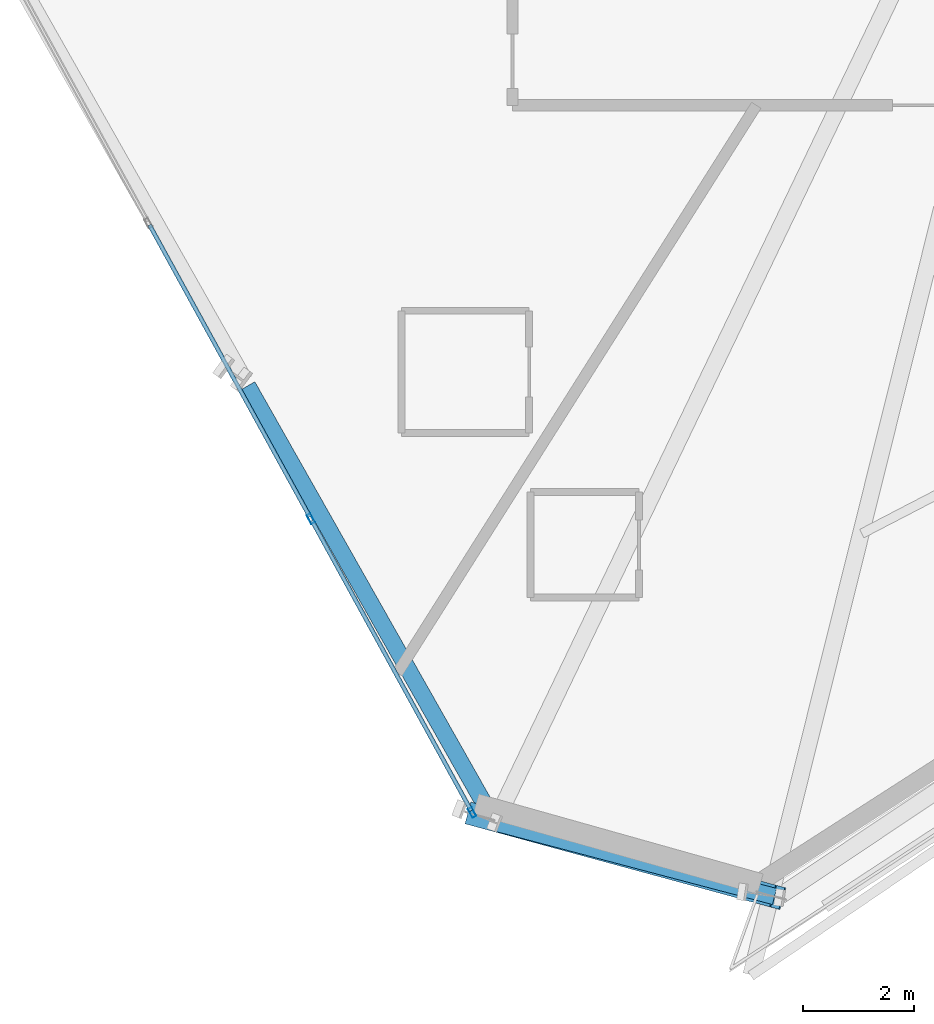
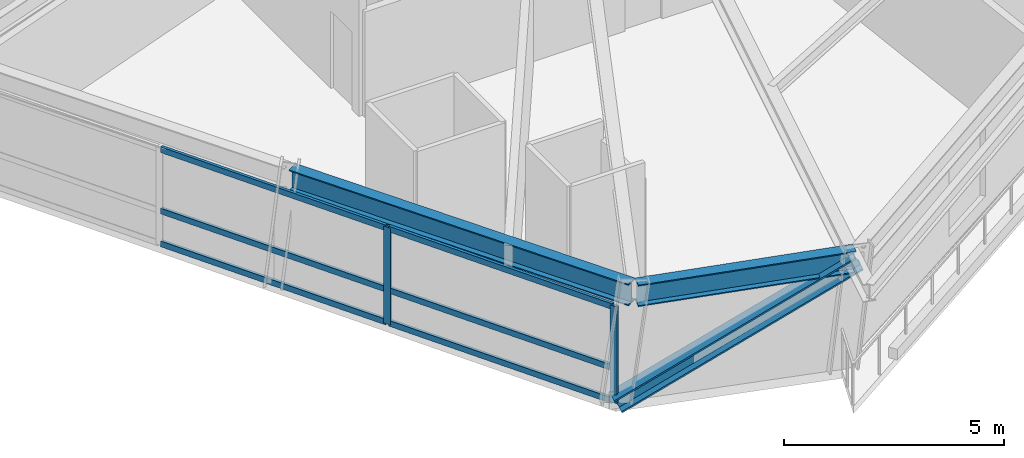
# One storey, part 2 of 21: 9 members, 2 beams, 1 element without a shape of its own.
"""IFC4 building model written with IfcOpenShell, lengths in metres."""

from ifc_helpers import new_model, si_unit, direction, frame, origin, origin_2d, place, context, subcontext, project, spatial, hollow_rectangle, i_section, extrude, source, transform, mapped, material, material_profile, profile_set, type_object, element, aggregate, save


model = new_model("IFC4")

# Units and contexts
model_context = context("Model", 3, precision=1e-05, world=origin(), true_north=direction((0.0, 1.0)))
body_context = subcontext(model_context, "Body", "Model", "MODEL_VIEW")
ifc_project = project(units=[si_unit("LENGTHUNIT", "METRE"), si_unit("AREAUNIT", "SQUARE_METRE"), si_unit("VOLUMEUNIT", "CUBIC_METRE"), si_unit("PLANEANGLEUNIT", "RADIAN"), si_unit("MASSUNIT", "GRAM", prefix="KILO")], contexts=[model_context])

# Site, building, storey
site_placement = place(None, origin())
site = spatial("IfcSite", under=ifc_project, at=site_placement, CompositionType="ELEMENT")
building_placement = place(site_placement, origin())
building = spatial("IfcBuilding", under=site, at=building_placement, Name="Olszyna Solenne Hotel", CompositionType="ELEMENT")
storey_placement = place(building_placement, frame((0.0, 0.0, 109.25)))
storey = spatial("IfcBuildingStorey", under=building, at=storey_placement, Name="L28", CompositionType="ELEMENT", Elevation=109.25)

# Beams
ifc_material_1 = material(Name="Steel S355J2", Category="steel")
ifc_material_profile_1 = material_profile(ifc_material_1, i_section(OverallWidth=0.300048828125, OverallDepth=0.60009765625, WebThickness=0.015380859375, FlangeThickness=0.030029296875, at=origin_2d()), Name="HEB 600", Category="load-bearing")
ifc_profile_set_1 = profile_set([ifc_material_profile_1], Name="Steel S355J2")
beam_type = type_object("IfcBeamType", Name="BM-S2", PredefinedType="BEAM", material=ifc_profile_set_1)
shared_shape_1 = source(origin(), body_context, "Body", "SweptSolid", [
    extrude(i_section(OverallWidth=0.300048828125, OverallDepth=0.60009765625, WebThickness=0.015380859375, FlangeThickness=0.030029296875, at=origin_2d()), origin(), (0.0, 0.0, 1.0), 8.970703125),
])
beam_1_placement = place(storey_placement, frame((22.68408203125, 11.802001953125, 3.0), z_axis=(0.492785266058, -0.870150953315, 0.0), x_axis=(0.870150953315, 0.492785266058, 0.0)))
element("IfcBeam", 1, at=beam_1_placement, inside=storey, type_object=beam_type, Name="Perimeter spandrel beam BM-S2 B-L28-0846", PredefinedType="BEAM", context=body_context, shape_type="MappedRepresentation", body=[
    mapped(shared_shape_1, transform((0.0, 0.0, 0.0), x_axis=(1.0, 0.0, 0.0), y_axis=(0.0, 1.0, 0.0), z_axis=(0.0, 0.0, 1.0), scale=1.0)),
])
shared_shape_2 = source(origin(), body_context, "Body", "SweptSolid", [
    extrude(i_section(OverallWidth=0.300048828125, OverallDepth=0.60009765625, WebThickness=0.015380859375, FlangeThickness=0.030029296875, at=origin_2d()), origin(), (0.0, 0.0, 1.0), 5.142822265625),
])
beam_2_placement = place(storey_placement, frame((27.1923828125, 3.9287109375, 3.0), z_axis=(0.96682255977, -0.255448894929, 0.0), x_axis=(0.255448894929, 0.96682255977, 0.0)))
element("IfcBeam", 2, at=beam_2_placement, inside=storey, type_object=beam_type, Name="Perimeter spandrel beam BM-S2 B-L28-0847", PredefinedType="BEAM", context=body_context, shape_type="MappedRepresentation", body=[
    mapped(shared_shape_2, transform((0.0, 0.0, 0.0), x_axis=(1.0, 0.0, 0.0), y_axis=(0.0, 1.0, 0.0), z_axis=(0.0, 0.0, 1.0), scale=1.0)),
])

# Member
ifc_material_2 = material(Name="Steel S460M", Category="steel")
ifc_material_profile_2 = material_profile(ifc_material_2, i_section(OverallWidth=0.406005859375, OverallDepth=0.416015625, WebThickness=0.026611328125, FlangeThickness=0.04150390625, at=origin_2d()), Name="HD 400x382", Category="load-bearing")
ifc_profile_set_2 = profile_set([ifc_material_profile_2], Name="Steel S460M")
member_type_1 = type_object("IfcMemberType", Name="BR-T2", PredefinedType="BRACE", material=ifc_profile_set_2)
shared_shape_3 = source(origin(), body_context, "Body", "SweptSolid", [
    extrude(i_section(OverallWidth=0.406005859375, OverallDepth=0.416015625, WebThickness=0.026611328125, FlangeThickness=0.04150390625, at=origin_2d()), origin(), (0.0, 0.0, 1.0), 6.406005859375),
])
member_1_placement = place(storey_placement, frame((26.7412109375, 4.09375, 0.010009765625), z_axis=(0.855629736308, -0.233239231491, 0.46205758866), x_axis=(0.26299740871, 0.964796539697, 0.0)))
element("IfcMember", 3, at=member_1_placement, inside=storey, type_object=member_type_1, Name="Perimeter braced-tube diagonal BR-T2 BR-L28-3", PredefinedType="BRACE", context=body_context, shape_type="MappedRepresentation", body=[
    mapped(shared_shape_3, transform((0.0, 0.0, 0.0), x_axis=(1.0, 0.0, 0.0), y_axis=(0.0, 1.0, 0.0), z_axis=(0.0, 0.0, 1.0), scale=1.0)),
])

# Curtain wall, members
ifc_material_3 = material(Name="Anodised bronze aluminium", Category="aluminium")
curtain_wall_type = type_object("IfcCurtainWallType", Name="CW-SYS-3", PredefinedType="NOTDEFINED", material=ifc_material_3)
curtain_wall_placement = place(storey_placement, origin())
curtain_wall = element("IfcCurtainWall", 4, at=curtain_wall_placement, inside=storey, type_object=curtain_wall_type, Name="Unitised curtain wall CW-SYS-3 CW-L28-01", PredefinedType="NOTDEFINED")
ifc_material_profile_3 = material_profile(ifc_material_3, hollow_rectangle(XDim=0.074951171875, YDim=0.179931640625, WallThickness=0.00439453125, at=origin_2d()), Name="MULL 180x75x4.5", Category="load-bearing")
ifc_profile_set_3 = profile_set([ifc_material_profile_3], Name="Anodised bronze aluminium")
member_type_2 = type_object("IfcMemberType", Name="CW-M2", PredefinedType="MULLION", material=ifc_profile_set_3)
shared_shape_4 = source(origin(), body_context, "Body", "SweptSolid", [
    extrude(hollow_rectangle(XDim=0.074951171875, YDim=0.179931640625, WallThickness=0.00439453125, at=origin_2d()), origin(), (0.0, 0.0, 1.0), 2.69189453125),
])
member_2_placement = place(storey_placement, frame((23.82080078125, 9.411865234375, 0.0), z_axis=(0.0, 0.0, 1.0), x_axis=(0.876535283653, 0.481337611777, 0.0)))
member_2 = element("IfcMember", 5, at=member_2_placement, type_object=member_type_2, Name="Curtain-wall mullion CW-M2 CM-L28-01-03", PredefinedType="MULLION", context=body_context, shape_type="MappedRepresentation", body=[
    mapped(shared_shape_4, transform((0.0, 0.0, 0.0), x_axis=(1.0, 0.0, 0.0), y_axis=(0.0, 1.0, 0.0), z_axis=(0.0, 0.0, 1.0), scale=1.0)),
])
member_3_placement = place(storey_placement, frame((26.72314453125, 4.126708984375, 0.0), z_axis=(0.0, 0.0, 1.0), x_axis=(0.876535283653, 0.481337611777, 0.0)))
member_3 = element("IfcMember", 6, at=member_3_placement, type_object=member_type_2, Name="Curtain-wall mullion CW-M2 CM-L28-01-04", PredefinedType="MULLION", context=body_context, shape_type="MappedRepresentation", body=[
    mapped(shared_shape_4, transform((0.0, 0.0, 0.0), x_axis=(1.0, 0.0, 0.0), y_axis=(0.0, 1.0, 0.0), z_axis=(0.0, 0.0, 1.0), scale=1.0)),
])
ifc_material_profile_4 = material_profile(ifc_material_3, hollow_rectangle(XDim=0.074951171875, YDim=0.159912109375, WallThickness=0.00390625, at=origin_2d()), Name="TRAN 160x75x4", Category="load-bearing")
ifc_profile_set_4 = profile_set([ifc_material_profile_4], Name="Anodised bronze aluminium")
member_type_3 = type_object("IfcMemberType", Name="CW-T1", PredefinedType="USERDEFINED", material=ifc_profile_set_4)
shared_shape_5 = source(origin(), body_context, "Body", "SweptSolid", [
    extrude(hollow_rectangle(XDim=0.074951171875, YDim=0.159912109375, WallThickness=0.00390625, at=origin_2d()), origin(), (0.0, 0.0, 1.0), 5.954833984375),
])
member_4_placement = place(storey_placement, frame((23.8388671875, 9.379150390625, 0.03759765625), z_axis=(0.481320581032, -0.876544635644, 0.0), x_axis=(0.876544635644, 0.481320581032, 0.0)))
member_4 = element("IfcMember", 7, at=member_4_placement, type_object=member_type_3, Name="Curtain-wall transom CW-T1 CT-L28-01-07", ObjectType="TRANSOM", PredefinedType="USERDEFINED", context=body_context, shape_type="MappedRepresentation", body=[
    mapped(shared_shape_5, transform((0.0, 0.0, 0.0), x_axis=(1.0, 0.0, 0.0), y_axis=(0.0, 1.0, 0.0), z_axis=(0.0, 0.0, 1.0), scale=1.0)),
])
member_5_placement = place(storey_placement, frame((23.8388671875, 9.379150390625, 0.949951171875), z_axis=(0.481320581032, -0.876544635644, 0.0), x_axis=(0.876544635644, 0.481320581032, 0.0)))
member_5 = element("IfcMember", 8, at=member_5_placement, type_object=member_type_3, Name="Curtain-wall transom CW-T1 CT-L28-01-08", ObjectType="TRANSOM", PredefinedType="USERDEFINED", context=body_context, shape_type="MappedRepresentation", body=[
    mapped(shared_shape_5, transform((0.0, 0.0, 0.0), x_axis=(1.0, 0.0, 0.0), y_axis=(0.0, 1.0, 0.0), z_axis=(0.0, 0.0, 1.0), scale=1.0)),
])
member_6_placement = place(storey_placement, frame((23.8388671875, 9.379150390625, 2.654541015625), z_axis=(0.481320581032, -0.876544635644, 0.0), x_axis=(0.876544635644, 0.481320581032, 0.0)))
member_6 = element("IfcMember", 9, at=member_6_placement, type_object=member_type_3, Name="Curtain-wall transom CW-T1 CT-L28-01-09", ObjectType="TRANSOM", PredefinedType="USERDEFINED", context=body_context, shape_type="MappedRepresentation", body=[
    mapped(shared_shape_5, transform((0.0, 0.0, 0.0), x_axis=(1.0, 0.0, 0.0), y_axis=(0.0, 1.0, 0.0), z_axis=(0.0, 0.0, 1.0), scale=1.0)),
])
shared_shape_6 = source(origin(), body_context, "Body", "SweptSolid", [
    extrude(hollow_rectangle(XDim=0.074951171875, YDim=0.159912109375, WallThickness=0.00390625, at=origin_2d()), origin(), (0.0, 0.0, 1.0), 5.9921875),
])
member_7_placement = place(storey_placement, frame((20.91845703125, 14.697265625, 0.03759765625), z_axis=(0.481333699886, -0.876537431805, 0.0), x_axis=(0.876537431805, 0.481333699886, 0.0)))
member_7 = element("IfcMember", 10, at=member_7_placement, type_object=member_type_3, Name="Curtain-wall transom CW-T1 CT-L28-01-04", ObjectType="TRANSOM", PredefinedType="USERDEFINED", context=body_context, shape_type="MappedRepresentation", body=[
    mapped(shared_shape_6, transform((0.0, 0.0, 0.0), x_axis=(1.0, 0.0, 0.0), y_axis=(0.0, 1.0, 0.0), z_axis=(0.0, 0.0, 1.0), scale=1.0)),
])
member_8_placement = place(storey_placement, frame((20.91845703125, 14.697265625, 0.949951171875), z_axis=(0.481333699886, -0.876537431805, 0.0), x_axis=(0.876537431805, 0.481333699886, 0.0)))
member_8 = element("IfcMember", 11, at=member_8_placement, type_object=member_type_3, Name="Curtain-wall transom CW-T1 CT-L28-01-05", ObjectType="TRANSOM", PredefinedType="USERDEFINED", context=body_context, shape_type="MappedRepresentation", body=[
    mapped(shared_shape_6, transform((0.0, 0.0, 0.0), x_axis=(1.0, 0.0, 0.0), y_axis=(0.0, 1.0, 0.0), z_axis=(0.0, 0.0, 1.0), scale=1.0)),
])
member_9_placement = place(storey_placement, frame((20.91845703125, 14.697265625, 2.654541015625), z_axis=(0.481333699886, -0.876537431805, 0.0), x_axis=(0.876537431805, 0.481333699886, 0.0)))
member_9 = element("IfcMember", 12, at=member_9_placement, type_object=member_type_3, Name="Curtain-wall transom CW-T1 CT-L28-01-06", ObjectType="TRANSOM", PredefinedType="USERDEFINED", context=body_context, shape_type="MappedRepresentation", body=[
    mapped(shared_shape_6, transform((0.0, 0.0, 0.0), x_axis=(1.0, 0.0, 0.0), y_axis=(0.0, 1.0, 0.0), z_axis=(0.0, 0.0, 1.0), scale=1.0)),
])
aggregate(curtain_wall, [member_2, member_3, member_7, member_8, member_9, member_4, member_5, member_6])

save(model, "model.ifc")
